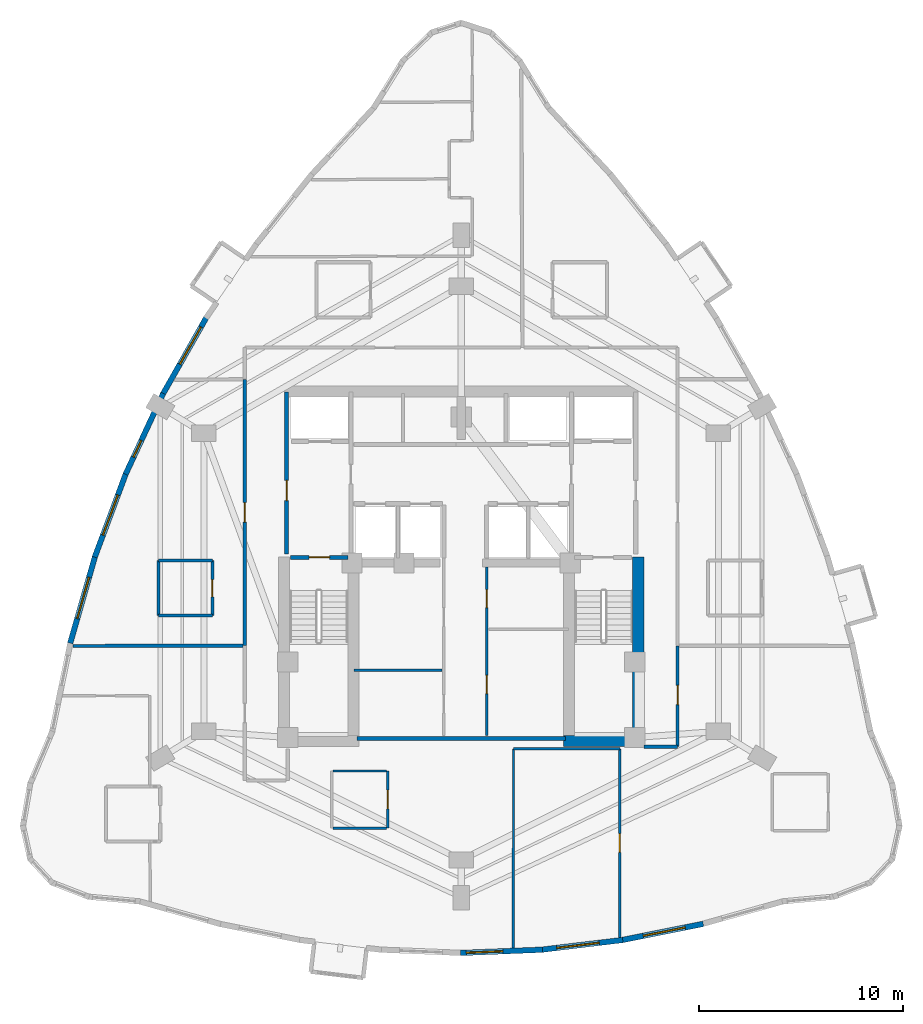
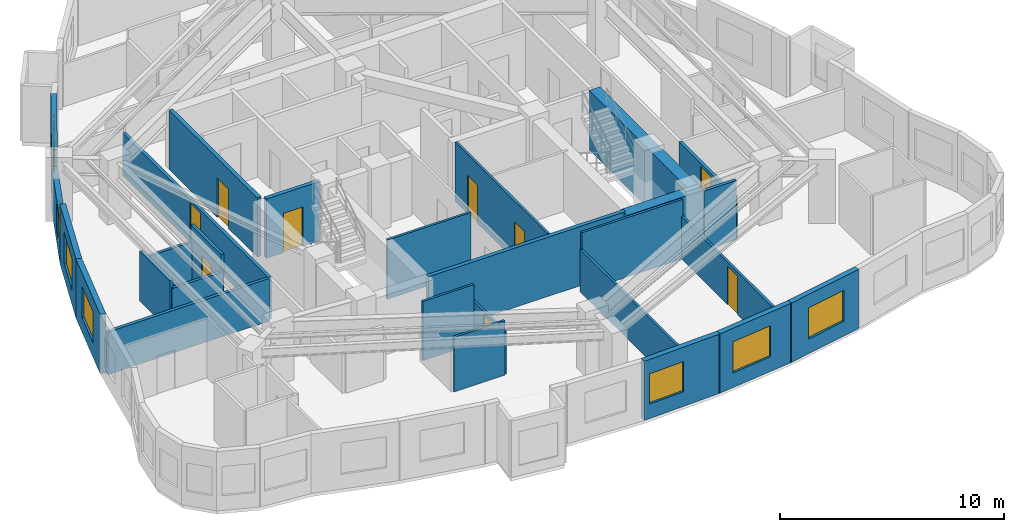
# One storey, part 6 of 11: 28 walls, 9 doors, 7 windows, 16 openings.
"""IFC4 building model written with IfcOpenShell, lengths in metres."""

from ifc_helpers import new_model, si_unit, direction, frame, frame_2d, origin, place, context, subcontext, project, spatial, rectangle, extrude, material, layer, layer_set, type_object, element, fill, save


model = new_model("IFC4")

# Units and contexts
model_context = context("Model", 3, precision=1e-05, world=origin(), true_north=direction((0.0, 1.0)))
body_context = subcontext(model_context, "Body", "Model", "MODEL_VIEW")
ifc_project = project(units=[si_unit("LENGTHUNIT", "METRE"), si_unit("AREAUNIT", "SQUARE_METRE"), si_unit("VOLUMEUNIT", "CUBIC_METRE"), si_unit("PLANEANGLEUNIT", "RADIAN"), si_unit("MASSUNIT", "GRAM", prefix="KILO")], contexts=[model_context])

# Site, building, storey
site_placement = place(None, origin())
site = spatial("IfcSite", under=ifc_project, at=site_placement, CompositionType="ELEMENT")
building_placement = place(site_placement, origin())
building = spatial("IfcBuilding", under=site, at=building_placement, Name="Miruveldt Soraemaru", CompositionType="ELEMENT")
storey_placement = place(building_placement, frame((0.0, 0.0, 152.89990234375)))
storey = spatial("IfcBuildingStorey", under=building, at=storey_placement, Name="L42", CompositionType="ELEMENT", Elevation=152.89990234375)

# Walls
ifc_material_1 = material(Name="Concrete C70/85 (70 MPa)", Category="concrete")
ifc_layer_1 = layer(ifc_material_1, 0.550048828125, Name="Concrete C70/85 (70 MPa)", Category="concrete")
ifc_layer_set_1 = layer_set([ifc_layer_1], Name="Concrete C70/85 (70 MPa)")
wall_type_1 = type_object("IfcWallType", Name="WALL-CW-550", PredefinedType="SHEAR", material=ifc_layer_set_1)
wall_1_placement = place(storey_placement, frame((49.0, 35.324951171875, 0.0), z_axis=(0.0, 0.0, 1.0), x_axis=(1.0, 0.0, 0.0)))
element("IfcWall", 1, at=wall_1_placement, inside=storey, type_object=wall_type_1, Name="L42 Central Core Shear Wall S2", PredefinedType="SHEAR", context=body_context, shape_type="SweptSolid", body=[
    extrude(rectangle(XDim=3.949951171875, YDim=0.550048828125, at=frame_2d((1.97509765625, 0.0))), origin(), (0.0, 0.0, 1.0), 3.235107421875),
])
wall_2_placement = place(storey_placement, frame((52.675048828125, 35.050048828125, 0.0), z_axis=(0.0, 0.0, 1.0), x_axis=(0.0, 1.0, 0.0)))
element("IfcWall", 2, at=wall_2_placement, inside=storey, type_object=wall_type_1, Name="L42 Central Core Shear Wall E1", PredefinedType="SHEAR", context=body_context, shape_type="SweptSolid", body=[
    extrude(rectangle(XDim=9.300048828125, YDim=0.550048828125, at=frame_2d((4.64990234375, 0.0))), origin(), (0.0, 0.0, 1.0), 3.235107421875),
])

# Wall, opening, window
ifc_material_2 = material(Name="Precast concrete C45/55 (45 MPa)", Category="concrete")
ifc_layer_2 = layer(ifc_material_2, 0.27001953125, Name="Precast concrete C45/55 (45 MPa)", Category="concrete")
ifc_layer_set_2 = layer_set([ifc_layer_2], Name="Precast concrete C45/55 (45 MPa)")
wall_type_2 = type_object("IfcWallType", Name="WALL-EXT-PC270", PredefinedType="SOLIDWALL", material=ifc_layer_set_2)
wall_3_placement = place(storey_placement, frame((31.53076171875, 56.09912109375, 0.0), z_axis=(0.0, 0.0, 1.0), x_axis=(-0.493412614859, -0.869795373348, 0.0)))
wall_3 = element("IfcWall", 3, at=wall_3_placement, inside=storey, type_object=wall_type_2, Name="L42 Precast Concrete Facade Wall 10", PredefinedType="SOLIDWALL", context=body_context, shape_type="SweptSolid", body=[
    extrude(rectangle(XDim=4.37255859375, YDim=0.27001953125, at=frame_2d((2.186279296875, 0.0))), origin(), (0.0, 0.0, 1.0), 3.235107421875),
])
opening_1_placement = place(wall_3_placement, frame((0.55908203125, 0.0, 0.800048828125)))
opening_1 = element("IfcOpeningElement", 4, at=opening_1_placement, cuts=wall_3, Name="Opening WN-1", PredefinedType="OPENING", context=body_context, shape_type="SweptSolid", body=[
    extrude(rectangle(XDim=2.10009765625, YDim=1.699951171875, at=frame_2d((1.050048828125, 0.85009765625))), frame((0.0, 0.14501953125, 0.0), z_axis=(0.0, -1.0, 0.0), x_axis=(1.0, 0.0, 0.0)), (0.0, 0.0, 1.0), 0.2900390625),
])
ifc_material_3 = material(Name="Triple low-e insulated glazing", Category="glass")
window_type_1 = type_object("IfcWindowType", Name="WIN-PUNCH-2100x1700", PartitioningType="SINGLE_PANEL", PredefinedType="WINDOW", material=ifc_material_3)
window_1_placement = place(opening_1_placement, origin())
window_1 = element("IfcWindow", 5, at=window_1_placement, inside=storey, type_object=window_type_1, Name="L42 Punched Triple-Glazed Window 10.1", OverallHeight=1.699951171875, OverallWidth=2.10009765625, PartitioningType="SINGLE_PANEL", PredefinedType="WINDOW", context=body_context, shape_type="SweptSolid", body=[
    extrude(rectangle(XDim=2.10009765625, YDim=1.699951171875, at=frame_2d((1.050048828125, 0.85009765625))), frame((0.0, 0.030029296875, 0.0), z_axis=(0.0, -1.0, 0.0), x_axis=(1.0, 0.0, 0.0)), (0.0, 0.0, 1.0), 0.06005859375),
])
fill(opening_1, window_1)

wall_4_placement = place(storey_placement, frame((29.405517578125, 52.35791015625, 0.0), z_axis=(0.0, 0.0, 1.0), x_axis=(-0.422319922238, -0.906446845259, 0.0)))
wall_4 = element("IfcWall", 6, at=wall_4_placement, inside=storey, type_object=wall_type_2, Name="L42 Precast Concrete Facade Wall 11", PredefinedType="SOLIDWALL", context=body_context, shape_type="SweptSolid", body=[
    extrude(rectangle(XDim=4.372802734375, YDim=0.27001953125, at=frame_2d((2.1865234375, 0.0))), origin(), (0.0, 0.0, 1.0), 2.322998046875),
])
opening_2_placement = place(wall_4_placement, frame((2.548095703125, 0.0, 0.6630859375)))
opening_2 = element("IfcOpeningElement", 7, at=opening_2_placement, cuts=wall_4, Name="Opening WN-7", PredefinedType="OPENING", context=body_context, shape_type="SweptSolid", body=[
    extrude(rectangle(XDim=0.89990234375, YDim=1.5, at=frame_2d((0.449951171875, 0.75))), frame((0.0, 0.14501953125, 0.0), z_axis=(0.0, -1.0, 0.0), x_axis=(1.0, 0.0, 0.0)), (0.0, 0.0, 1.0), 0.2900390625),
])
window_type_2 = type_object("IfcWindowType", Name="WIN-PUNCH-900x1500", PartitioningType="SINGLE_PANEL", PredefinedType="WINDOW", material=ifc_material_3)
window_2_placement = place(opening_2_placement, origin())
window_2 = element("IfcWindow", 8, at=window_2_placement, inside=storey, type_object=window_type_2, Name="L42 Punched Triple-Glazed Window 11.1", OverallHeight=1.5, OverallWidth=0.89990234375, PartitioningType="SINGLE_PANEL", PredefinedType="WINDOW", context=body_context, shape_type="SweptSolid", body=[
    extrude(rectangle(XDim=0.89990234375, YDim=1.5, at=frame_2d((0.449951171875, 0.75))), frame((0.0, 0.030029296875, 0.0), z_axis=(0.0, -1.0, 0.0), x_axis=(1.0, 0.0, 0.0)), (0.0, 0.0, 1.0), 0.06005859375),
])
fill(opening_2, window_2)

wall_5_placement = place(storey_placement, frame((27.585693359375, 48.458740234375, 0.0), z_axis=(0.0, 0.0, 1.0), x_axis=(-0.348994381094, -0.937124816641, 0.0)))
wall_5 = element("IfcWall", 9, at=wall_5_placement, inside=storey, type_object=wall_type_2, Name="L42 Precast Concrete Facade Wall 12", PredefinedType="SOLIDWALL", context=body_context, shape_type="SweptSolid", body=[
    extrude(rectangle(XDim=4.400146484375, YDim=0.27001953125, at=frame_2d((2.2001953125, 0.0))), origin(), (0.0, 0.0, 1.0), 3.235107421875),
])
opening_3_placement = place(wall_5_placement, frame((1.14990234375, 0.0, 0.800048828125)))
opening_3 = element("IfcOpeningElement", 10, at=opening_3_placement, cuts=wall_5, Name="Opening WN-1", PredefinedType="OPENING", context=body_context, shape_type="SweptSolid", body=[
    extrude(rectangle(XDim=2.10009765625, YDim=1.699951171875, at=frame_2d((1.050048828125, 0.85009765625))), frame((0.0, 0.14501953125, 0.0), z_axis=(0.0, -1.0, 0.0), x_axis=(1.0, 0.0, 0.0)), (0.0, 0.0, 1.0), 0.2900390625),
])
window_3_placement = place(opening_3_placement, origin())
window_3 = element("IfcWindow", 11, at=window_3_placement, inside=storey, type_object=window_type_1, Name="L42 Punched Triple-Glazed Window 12.1", OverallHeight=1.699951171875, OverallWidth=2.10009765625, PartitioningType="SINGLE_PANEL", PredefinedType="WINDOW", context=body_context, shape_type="SweptSolid", body=[
    extrude(rectangle(XDim=2.10009765625, YDim=1.699951171875, at=frame_2d((1.050048828125, 0.85009765625))), frame((0.0, 0.030029296875, 0.0), z_axis=(0.0, -1.0, 0.0), x_axis=(1.0, 0.0, 0.0)), (0.0, 0.0, 1.0), 0.06005859375),
])
fill(opening_3, window_3)

wall_6_placement = place(storey_placement, frame((26.07177734375, 44.40185546875, 0.0), z_axis=(0.0, 0.0, 1.0), x_axis=(-0.274959989366, -0.961455669414, 0.0)))
wall_6 = element("IfcWall", 12, at=wall_6_placement, inside=storey, type_object=wall_type_2, Name="L42 Precast Concrete Facade Wall 13", PredefinedType="SOLIDWALL", context=body_context, shape_type="SweptSolid", body=[
    extrude(rectangle(XDim=4.45458984375, YDim=0.27001953125, at=frame_2d((2.227294921875, 0.0))), origin(), (0.0, 0.0, 1.0), 3.235107421875),
])
opening_4_placement = place(wall_6_placement, frame((1.10302734375, 0.0, 0.800048828125)))
opening_4 = element("IfcOpeningElement", 13, at=opening_4_placement, cuts=wall_6, Name="Opening WN-1", PredefinedType="OPENING", context=body_context, shape_type="SweptSolid", body=[
    extrude(rectangle(XDim=2.10009765625, YDim=1.699951171875, at=frame_2d((1.050048828125, 0.85009765625))), frame((0.0, 0.14501953125, 0.0), z_axis=(0.0, -1.0, 0.0), x_axis=(1.0, 0.0, 0.0)), (0.0, 0.0, 1.0), 0.2900390625),
])
window_4_placement = place(opening_4_placement, origin())
window_4 = element("IfcWindow", 14, at=window_4_placement, inside=storey, type_object=window_type_1, Name="L42 Punched Triple-Glazed Window 13.1", OverallHeight=1.699951171875, OverallWidth=2.10009765625, PartitioningType="SINGLE_PANEL", PredefinedType="WINDOW", context=body_context, shape_type="SweptSolid", body=[
    extrude(rectangle(XDim=2.10009765625, YDim=1.699951171875, at=frame_2d((1.050048828125, 0.85009765625))), frame((0.0, 0.030029296875, 0.0), z_axis=(0.0, -1.0, 0.0), x_axis=(1.0, 0.0, 0.0)), (0.0, 0.0, 1.0), 0.06005859375),
])
fill(opening_4, window_4)

wall_7_placement = place(storey_placement, frame((43.965087890625, 24.9462890625, 0.0), z_axis=(0.0, 0.0, 1.0), x_axis=(0.999200861534, 0.039970467975, 0.0)))
wall_7 = element("IfcWall", 15, at=wall_7_placement, inside=storey, type_object=wall_type_2, Name="L42 Precast Concrete Facade Wall 25", PredefinedType="SOLIDWALL", context=body_context, shape_type="SweptSolid", body=[
    extrude(rectangle(XDim=4.012939453125, YDim=0.27001953125, at=frame_2d((2.00634765625, 0.0))), origin(), (0.0, 0.0, 1.0), 3.235107421875),
])
opening_5_placement = place(wall_7_placement, frame((0.281005859375, 0.0, 0.800048828125)))
opening_5 = element("IfcOpeningElement", 16, at=opening_5_placement, cuts=wall_7, Name="Opening WN-2", PredefinedType="OPENING", context=body_context, shape_type="SweptSolid", body=[
    extrude(rectangle(XDim=1.800048828125, YDim=1.64990234375, at=frame_2d((0.89990234375, 0.824951171875))), frame((0.0, 0.14501953125, 0.0), z_axis=(0.0, -1.0, 0.0), x_axis=(1.0, 0.0, 0.0)), (0.0, 0.0, 1.0), 0.2900390625),
])
window_type_3 = type_object("IfcWindowType", Name="WIN-PUNCH-1800x1650", PartitioningType="SINGLE_PANEL", PredefinedType="WINDOW", material=ifc_material_3)
window_5_placement = place(opening_5_placement, origin())
window_5 = element("IfcWindow", 17, at=window_5_placement, inside=storey, type_object=window_type_3, Name="L42 Punched Triple-Glazed Window 25.1", OverallHeight=1.64990234375, OverallWidth=1.800048828125, PartitioningType="SINGLE_PANEL", PredefinedType="WINDOW", context=body_context, shape_type="SweptSolid", body=[
    extrude(rectangle(XDim=1.800048828125, YDim=1.64990234375, at=frame_2d((0.89990234375, 0.824951171875))), frame((0.0, 0.030029296875, 0.0), z_axis=(0.0, -1.0, 0.0), x_axis=(1.0, 0.0, 0.0)), (0.0, 0.0, 1.0), 0.06005859375),
])
fill(opening_5, window_5)

wall_8_placement = place(storey_placement, frame((47.905029296875, 25.10107421875, 0.0), z_axis=(0.0, 0.0, 1.0), x_axis=(0.99287426346, 0.119166677218, 0.0)))
wall_8 = element("IfcWall", 18, at=wall_8_placement, inside=storey, type_object=wall_type_2, Name="L42 Precast Concrete Facade Wall 26", PredefinedType="SOLIDWALL", context=body_context, shape_type="SweptSolid", body=[
    extrude(rectangle(XDim=4.0380859375, YDim=0.27001953125, at=frame_2d((2.01904296875, 0.0))), origin(), (0.0, 0.0, 1.0), 3.235107421875),
])
opening_6_placement = place(wall_8_placement, frame((0.781982421875, 0.0, 0.800048828125)))
opening_6 = element("IfcOpeningElement", 19, at=opening_6_placement, cuts=wall_8, Name="Opening WN-1", PredefinedType="OPENING", context=body_context, shape_type="SweptSolid", body=[
    extrude(rectangle(XDim=2.10009765625, YDim=1.699951171875, at=frame_2d((1.050048828125, 0.85009765625))), frame((0.0, 0.14501953125, 0.0), z_axis=(0.0, -1.0, 0.0), x_axis=(1.0, 0.0, 0.0)), (0.0, 0.0, 1.0), 0.2900390625),
])
window_6_placement = place(opening_6_placement, origin())
window_6 = element("IfcWindow", 20, at=window_6_placement, inside=storey, type_object=window_type_1, Name="L42 Punched Triple-Glazed Window 26.1", OverallHeight=1.699951171875, OverallWidth=2.10009765625, PartitioningType="SINGLE_PANEL", PredefinedType="WINDOW", context=body_context, shape_type="SweptSolid", body=[
    extrude(rectangle(XDim=2.10009765625, YDim=1.699951171875, at=frame_2d((1.050048828125, 0.85009765625))), frame((0.0, 0.030029296875, 0.0), z_axis=(0.0, -1.0, 0.0), x_axis=(1.0, 0.0, 0.0)), (0.0, 0.0, 1.0), 0.06005859375),
])
fill(opening_6, window_6)

wall_9_placement = place(storey_placement, frame((51.84521484375, 25.571044921875, 0.0), z_axis=(0.0, 0.0, 1.0), x_axis=(0.980578378617, 0.196127620158, 0.0)))
wall_9 = element("IfcWall", 21, at=wall_9_placement, inside=storey, type_object=wall_type_2, Name="L42 Precast Concrete Facade Wall 27", PredefinedType="SOLIDWALL", context=body_context, shape_type="SweptSolid", body=[
    extrude(rectangle(XDim=4.087890625, YDim=0.27001953125, at=frame_2d((2.0439453125, 0.0))), origin(), (0.0, 0.0, 1.0), 3.235107421875),
])
opening_7_placement = place(wall_9_placement, frame((1.087890625, 0.0, 0.800048828125)))
opening_7 = element("IfcOpeningElement", 22, at=opening_7_placement, cuts=wall_9, Name="Opening WN-1", PredefinedType="OPENING", context=body_context, shape_type="SweptSolid", body=[
    extrude(rectangle(XDim=2.10009765625, YDim=1.699951171875, at=frame_2d((1.050048828125, 0.85009765625))), frame((0.0, 0.14501953125, 0.0), z_axis=(0.0, -1.0, 0.0), x_axis=(1.0, 0.0, 0.0)), (0.0, 0.0, 1.0), 0.2900390625),
])
window_7_placement = place(opening_7_placement, origin())
window_7 = element("IfcWindow", 23, at=window_7_placement, inside=storey, type_object=window_type_1, Name="L42 Punched Triple-Glazed Window 27.1", OverallHeight=1.699951171875, OverallWidth=2.10009765625, PartitioningType="SINGLE_PANEL", PredefinedType="WINDOW", context=body_context, shape_type="SweptSolid", body=[
    extrude(rectangle(XDim=2.10009765625, YDim=1.699951171875, at=frame_2d((1.050048828125, 0.85009765625))), frame((0.0, 0.030029296875, 0.0), z_axis=(0.0, -1.0, 0.0), x_axis=(1.0, 0.0, 0.0)), (0.0, 0.0, 1.0), 0.06005859375),
])
fill(opening_7, window_7)

# Wall, opening, door
ifc_material_4 = material(Name="Gypsum plasterboard lining", Category="gypsum")
ifc_layer_3 = layer(ifc_material_4, 0.1201171875, Name="Gypsum plasterboard lining", Category="gypsum")
ifc_layer_set_3 = layer_set([ifc_layer_3], Name="Gypsum plasterboard lining")
wall_type_3 = type_object("IfcWallType", Name="WALL-INT-P120", PredefinedType="PARTITIONING", material=ifc_layer_set_3)
wall_10_placement = place(storey_placement, frame((51.77001953125, 34.949951171875, 0.0), z_axis=(0.0, 0.0, 1.0), x_axis=(-0.000872415467, -0.999999619446, 0.0)))
wall_10 = element("IfcWall", 24, at=wall_10_placement, inside=storey, type_object=wall_type_3, Name="L42 Partition Wall 59", PredefinedType="PARTITIONING", context=body_context, shape_type="SweptSolid", body=[
    extrude(rectangle(XDim=9.23486328125, YDim=0.1201171875, at=frame_2d((4.617431640625, 0.0))), origin(), (0.0, 0.0, 1.0), 2.322998046875),
])
opening_8_placement = place(wall_10_placement, frame((4.157958984375, 0.0, 0.0)))
opening_8 = element("IfcOpeningElement", 25, at=opening_8_placement, cuts=wall_10, Name="Opening D3A", PredefinedType="OPENING", context=body_context, shape_type="SweptSolid", body=[
    extrude(rectangle(XDim=0.919921875, YDim=2.10009765625, at=frame_2d((0.4599609375, 1.050048828125))), frame((0.0, 0.070068359375, 0.0), z_axis=(0.0, -1.0, 0.0), x_axis=(1.0, 0.0, 0.0)), (0.0, 0.0, 1.0), 0.14013671875),
])
ifc_material_5 = material(Name="Anodised aluminium EN AW-6063 T6", Category="aluminium")
door_type_1 = type_object("IfcDoorType", Name="DOOR-INT-920", OperationType="NOTDEFINED", PredefinedType="DOOR", material=ifc_material_5)
door_1_placement = place(opening_8_placement, origin())
door_1 = element("IfcDoor", 26, at=door_1_placement, inside=storey, type_object=door_type_1, Name="L42 Unit 4206 BD2 Door", OperationType="SINGLE_SWING_LEFT", OverallHeight=2.10009765625, OverallWidth=0.919921875, PredefinedType="DOOR", context=body_context, shape_type="SweptSolid", body=[
    extrude(rectangle(XDim=0.919921875, YDim=2.10009765625, at=frame_2d((0.4599609375, 1.050048828125))), frame((0.0, 0.02490234375, 0.0), z_axis=(0.0, -1.0, 0.0), x_axis=(1.0, 0.0, 0.0)), (0.0, 0.0, 1.0), 0.050048828125),
])
fill(opening_8, door_1)

# Wall, openings, doors
wall_11_placement = place(storey_placement, frame((45.25, 35.60009765625, 0.0), z_axis=(0.0, 0.0, 1.0), x_axis=(0.0, 1.0, 0.0)))
wall_11 = element("IfcWall", 27, at=wall_11_placement, inside=storey, type_object=wall_type_3, Name="L42 Core Compartment Wall SP-EL", PredefinedType="PARTITIONING", context=body_context, shape_type="SweptSolid", body=[
    extrude(rectangle(XDim=8.25, YDim=0.1201171875, at=frame_2d((4.125, 0.0))), origin(), (0.0, 0.0, 1.0), 3.235107421875),
])
opening_9_placement = place(wall_11_placement, frame((2.050048828125, 0.0, 0.0)))
opening_9 = element("IfcOpeningElement", 28, at=opening_9_placement, cuts=wall_11, Name="Opening D3", PredefinedType="OPENING", context=body_context, shape_type="SweptSolid", body=[
    extrude(rectangle(XDim=0.89990234375, YDim=2.10009765625, at=frame_2d((0.449951171875, 1.050048828125))), frame((0.0, 0.070068359375, 0.0), z_axis=(0.0, -1.0, 0.0), x_axis=(1.0, 0.0, 0.0)), (0.0, 0.0, 1.0), 0.14013671875),
])
opening_10_placement = place(wall_11_placement, frame((6.260009765625, 0.0, 0.0)))
opening_10 = element("IfcOpeningElement", 29, at=opening_10_placement, cuts=wall_11, Name="Opening D4", PredefinedType="OPENING", context=body_context, shape_type="SweptSolid", body=[
    extrude(rectangle(XDim=0.8798828125, YDim=2.10009765625, at=frame_2d((0.43994140625, 1.050048828125))), frame((0.0, 0.070068359375, 0.0), z_axis=(0.0, -1.0, 0.0), x_axis=(1.0, 0.0, 0.0)), (0.0, 0.0, 1.0), 0.14013671875),
])
door_type_2 = type_object("IfcDoorType", Name="DOOR-INT-880", OperationType="NOTDEFINED", PredefinedType="DOOR", material=ifc_material_5)
door_2_placement = place(opening_10_placement, origin())
door_2 = element("IfcDoor", 30, at=door_2_placement, inside=storey, type_object=door_type_2, Name="L42 Fire Door", OperationType="SINGLE_SWING_LEFT", OverallHeight=2.10009765625, OverallWidth=0.8798828125, PredefinedType="DOOR", context=body_context, shape_type="SweptSolid", body=[
    extrude(rectangle(XDim=0.8798828125, YDim=2.10009765625, at=frame_2d((0.43994140625, 1.050048828125))), frame((0.0, 0.02490234375, 0.0), z_axis=(0.0, -1.0, 0.0), x_axis=(1.0, 0.0, 0.0)), (0.0, 0.0, 1.0), 0.050048828125),
])
fill(opening_10, door_2)
door_type_3 = type_object("IfcDoorType", Name="DOOR-INT-900", OperationType="NOTDEFINED", PredefinedType="DOOR", material=ifc_material_5)
door_3_placement = place(opening_9_placement, origin())
door_3 = element("IfcDoor", 31, at=door_3_placement, inside=storey, type_object=door_type_3, Name="L42 Fire Door", OperationType="SINGLE_SWING_LEFT", OverallHeight=2.10009765625, OverallWidth=0.89990234375, PredefinedType="DOOR", context=body_context, shape_type="SweptSolid", body=[
    extrude(rectangle(XDim=0.89990234375, YDim=2.10009765625, at=frame_2d((0.449951171875, 1.050048828125))), frame((0.0, 0.02490234375, 0.0), z_axis=(0.0, -1.0, 0.0), x_axis=(1.0, 0.0, 0.0)), (0.0, 0.0, 1.0), 0.050048828125),
])
fill(opening_9, door_3)

# Wall, opening, door
wall_12_placement = place(storey_placement, frame((40.408935546875, 31.06005859375, 0.0), z_axis=(0.0, 0.0, 1.0), x_axis=(0.0, 1.0, 0.0)))
wall_12 = element("IfcWall", 32, at=wall_12_placement, inside=storey, type_object=wall_type_3, Name="L42 Partition Wall 45", PredefinedType="PARTITIONING", context=body_context, shape_type="SweptSolid", body=[
    extrude(rectangle(XDim=2.800048828125, YDim=0.1201171875, at=frame_2d((1.39990234375, 0.0))), origin(), (0.0, 0.0, 1.0), 2.322998046875),
])
opening_11_placement = place(wall_12_placement, frame((0.93994140625, 0.0, 0.0)))
opening_11 = element("IfcOpeningElement", 33, at=opening_11_placement, cuts=wall_12, Name="Opening D3A", PredefinedType="OPENING", context=body_context, shape_type="SweptSolid", body=[
    extrude(rectangle(XDim=0.919921875, YDim=2.10009765625, at=frame_2d((0.4599609375, 1.050048828125))), frame((0.0, 0.070068359375, 0.0), z_axis=(0.0, -1.0, 0.0), x_axis=(1.0, 0.0, 0.0)), (0.0, 0.0, 1.0), 0.14013671875),
])
door_4_placement = place(opening_11_placement, origin())
door_4 = element("IfcDoor", 34, at=door_4_placement, inside=storey, type_object=door_type_1, Name="L42 Unit 4205 KIT Door", OperationType="SINGLE_SWING_LEFT", OverallHeight=2.10009765625, OverallWidth=0.919921875, PredefinedType="DOOR", context=body_context, shape_type="SweptSolid", body=[
    extrude(rectangle(XDim=0.919921875, YDim=2.10009765625, at=frame_2d((0.4599609375, 1.050048828125))), frame((0.0, 0.02490234375, 0.0), z_axis=(0.0, -1.0, 0.0), x_axis=(1.0, 0.0, 0.0)), (0.0, 0.0, 1.0), 0.050048828125),
])
fill(opening_11, door_4)

# Walls
wall_13_placement = place(storey_placement, frame((46.55908203125, 25.199951171875, 0.0), z_axis=(0.0, 0.0, 1.0), x_axis=(0.000300480756, 0.999999954856, 0.0)))
element("IfcWall", 35, at=wall_13_placement, inside=storey, type_object=wall_type_3, Name="L42 Partition Wall 61", PredefinedType="PARTITIONING", context=body_context, shape_type="SweptSolid", body=[
    extrude(rectangle(XDim=9.75, YDim=0.1201171875, at=frame_2d((4.875, 0.0))), origin(), (0.0, 0.0, 1.0), 2.322998046875),
])
wall_14_placement = place(storey_placement, frame((46.56201171875, 34.949951171875, 0.0), z_axis=(0.0, 0.0, 1.0), x_axis=(1.0, 0.0, 0.0)))
element("IfcWall", 36, at=wall_14_placement, inside=storey, type_object=wall_type_3, Name="L42 Partition Wall 62", PredefinedType="PARTITIONING", context=body_context, shape_type="SweptSolid", body=[
    extrude(rectangle(XDim=5.2080078125, YDim=0.1201171875, at=frame_2d((2.60400390625, 0.0))), origin(), (0.0, 0.0, 1.0), 3.235107421875),
])
wall_15_placement = place(storey_placement, frame((38.75, 38.800048828125, 0.0), z_axis=(0.0, 0.0, 1.0), x_axis=(1.0, 0.0, 0.0)))
element("IfcWall", 37, at=wall_15_placement, inside=storey, type_object=wall_type_3, Name="L42 Core Compartment Wall RL-W2H", PredefinedType="PARTITIONING", context=body_context, shape_type="SweptSolid", body=[
    extrude(rectangle(XDim=4.300048828125, YDim=0.1201171875, at=frame_2d((2.14990234375, 0.0))), origin(), (0.0, 0.0, 1.0), 3.235107421875),
])
wall_16_placement = place(storey_placement, frame((40.34912109375, 33.860107421875, 0.0), z_axis=(0.0, 0.0, 1.0), x_axis=(-1.0, 0.0, 0.0)))
element("IfcWall", 38, at=wall_16_placement, inside=storey, type_object=wall_type_3, Name="L42 Partition Wall 46", PredefinedType="PARTITIONING", context=body_context, shape_type="SweptSolid", body=[
    extrude(rectangle(XDim=2.630126953125, YDim=0.1201171875, at=frame_2d((1.31494140625, 0.0))), origin(), (0.0, 0.0, 1.0), 3.235107421875),
])
wall_17_placement = place(storey_placement, frame((37.718994140625, 31.06005859375, 0.0), z_axis=(0.0, 0.0, 1.0), x_axis=(1.0, 0.0, 0.0)))
element("IfcWall", 39, at=wall_17_placement, inside=storey, type_object=wall_type_3, Name="L42 Partition Wall 48", PredefinedType="PARTITIONING", context=body_context, shape_type="SweptSolid", body=[
    extrude(rectangle(XDim=2.630126953125, YDim=0.1201171875, at=frame_2d((1.31494140625, 0.0))), origin(), (0.0, 0.0, 1.0), 2.97314453125),
])

# Wall, opening, door
ifc_layer_4 = layer(ifc_material_4, 0.14990234375, Name="Gypsum plasterboard lining", Category="gypsum")
ifc_layer_set_4 = layer_set([ifc_layer_4], Name="Gypsum plasterboard lining")
wall_type_4 = type_object("IfcWallType", Name="WALL-INT-PLUMB", PredefinedType="PLUMBINGWALL", material=ifc_layer_set_4)
wall_18_placement = place(storey_placement, frame((31.81396484375, 41.47998046875, 0.0), z_axis=(0.0, 0.0, 1.0), x_axis=(0.0, 1.0, 0.0)))
wall_18 = element("IfcWall", 40, at=wall_18_placement, inside=storey, type_object=wall_type_4, Name="L42 Partition Wall 32", PredefinedType="PLUMBINGWALL", context=body_context, shape_type="SweptSolid", body=[
    extrude(rectangle(XDim=2.699951171875, YDim=0.14990234375, at=frame_2d((1.35009765625, 0.0))), origin(), (0.0, 0.0, 1.0), 3.235107421875),
])
opening_12_placement = place(wall_18_placement, frame((0.909912109375, 0.0, 0.0)))
opening_12 = element("IfcOpeningElement", 41, at=opening_12_placement, cuts=wall_18, Name="Opening FD3", PredefinedType="OPENING", context=body_context, shape_type="SweptSolid", body=[
    extrude(rectangle(XDim=0.85009765625, YDim=2.10009765625, at=frame_2d((0.425048828125, 1.050048828125))), frame((0.0, 0.0849609375, 0.0), z_axis=(0.0, -1.0, 0.0), x_axis=(1.0, 0.0, 0.0)), (0.0, 0.0, 1.0), 0.169921875),
])
door_type_4 = type_object("IfcDoorType", Name="DOOR-FD3-850", OperationType="NOTDEFINED", PredefinedType="DOOR", material=ifc_material_5)
door_5_placement = place(opening_12_placement, origin())
door_5 = element("IfcDoor", 42, at=door_5_placement, inside=storey, type_object=door_type_4, Name="L42 Unit CL03 BTH Door", OperationType="SINGLE_SWING_RIGHT", OverallHeight=2.10009765625, OverallWidth=0.85009765625, PredefinedType="DOOR", context=body_context, shape_type="SweptSolid", body=[
    extrude(rectangle(XDim=0.85009765625, YDim=2.10009765625, at=frame_2d((0.425048828125, 1.050048828125))), frame((0.0, 0.02490234375, 0.0), z_axis=(0.0, -1.0, 0.0), x_axis=(1.0, 0.0, 0.0)), (0.0, 0.0, 1.0), 0.050048828125),
])
fill(opening_12, door_5)

# Walls
wall_19_placement = place(storey_placement, frame((29.1640625, 44.179931640625, 0.0), z_axis=(0.0, 0.0, 1.0), x_axis=(0.0, -1.0, 0.0)))
element("IfcWall", 43, at=wall_19_placement, inside=storey, type_object=wall_type_4, Name="L42 Partition Wall 34", PredefinedType="PLUMBINGWALL", context=body_context, shape_type="SweptSolid", body=[
    extrude(rectangle(XDim=2.699951171875, YDim=0.14990234375, at=frame_2d((1.35009765625, 0.0))), origin(), (0.0, 0.0, 1.0), 2.72314453125),
])
for number, where, z_axis, x_axis, name in (
    (44, (31.81396484375, 44.179931640625, 0.0), (0.0, 0.0, 1.0), (-1.0, 0.0, 0.0), "L42 Partition Wall 33"),
    (45, (29.1640625, 41.47998046875, 0.0), (0.0, 0.0, 1.0), (1.0, 0.0, 0.0), "L42 Partition Wall 35"),
):
    element("IfcWall", number, at=place(storey_placement, frame(where, z_axis=z_axis, x_axis=x_axis)), inside=storey, type_object=wall_type_4, Name=name, PredefinedType="PLUMBINGWALL", context=body_context, shape_type="SweptSolid", body=[
        extrude(rectangle(XDim=2.64990234375, YDim=0.14990234375, at=frame_2d((1.324951171875, 0.0))), origin(), (0.0, 0.0, 1.0), 2.322998046875),
    ])

# Wall, opening, door
ifc_material_6 = material(Name="Concrete C40/50 (40 MPa)", Category="concrete")
ifc_layer_5 = layer(ifc_material_6, 0.159912109375, Name="Concrete C40/50 (40 MPa)", Category="concrete")
ifc_layer_set_5 = layer_set([ifc_layer_5], Name="Concrete C40/50 (40 MPa)")
wall_type_5 = type_object("IfcWallType", Name="WALL-INT-RC160", PredefinedType="SOLIDWALL", material=ifc_layer_set_5)
wall_20_placement = place(storey_placement, frame((33.39990234375, 53.047119140625, 0.0), z_axis=(0.0, 0.0, 1.0), x_axis=(0.0, -1.0, 0.0)))
wall_20 = element("IfcWall", 46, at=wall_20_placement, inside=storey, type_object=wall_type_5, Name="L42 Partition Wall 5", PredefinedType="SOLIDWALL", context=body_context, shape_type="SweptSolid", body=[
    extrude(rectangle(XDim=13.044189453125, YDim=0.159912109375, at=frame_2d((6.52197265625, 0.0))), origin(), (0.0, 0.0, 1.0), 2.322998046875),
])
opening_13_placement = place(wall_20_placement, frame((6.047119140625, 0.0, 0.0)))
opening_13 = element("IfcOpeningElement", 47, at=opening_13_placement, cuts=wall_20, Name="Opening FD2", PredefinedType="OPENING", context=body_context, shape_type="SweptSolid", body=[
    extrude(rectangle(XDim=0.949951171875, YDim=2.14990234375, at=frame_2d((0.47509765625, 1.074951171875))), frame((0.0, 0.08984375, 0.0), z_axis=(0.0, -1.0, 0.0), x_axis=(1.0, 0.0, 0.0)), (0.0, 0.0, 1.0), 0.179931640625),
])
door_type_5 = type_object("IfcDoorType", Name="DOOR-FD2-950", OperationType="NOTDEFINED", PredefinedType="DOOR", material=ifc_material_5)
door_6_placement = place(opening_13_placement, origin())
door_6 = element("IfcDoor", 48, at=door_6_placement, inside=storey, type_object=door_type_5, Name="L42 Unit CL03 Entrance Fire Door", OperationType="SINGLE_SWING_LEFT", OverallHeight=2.14990234375, OverallWidth=0.949951171875, PredefinedType="DOOR", context=body_context, shape_type="SweptSolid", body=[
    extrude(rectangle(XDim=0.949951171875, YDim=2.14990234375, at=frame_2d((0.47509765625, 1.074951171875))), frame((0.0, 0.02490234375, 0.0), z_axis=(0.0, -1.0, 0.0), x_axis=(1.0, 0.0, 0.0)), (0.0, 0.0, 1.0), 0.050048828125),
])
fill(opening_13, door_6)

wall_21_placement = place(storey_placement, frame((54.60009765625, 35.050048828125, 0.0), z_axis=(0.0, 0.0, 1.0), x_axis=(0.0, 1.0, 0.0)))
wall_21 = element("IfcWall", 49, at=wall_21_placement, inside=storey, type_object=wall_type_5, Name="L42 Partition Wall 11", PredefinedType="SOLIDWALL", context=body_context, shape_type="SweptSolid", body=[
    extrude(rectangle(XDim=4.94384765625, YDim=0.159912109375, at=frame_2d((2.471923828125, 0.0))), origin(), (0.0, 0.0, 1.0), 2.322998046875),
])
opening_14_placement = place(wall_21_placement, frame((2.05810546875, 0.0, 0.0)))
opening_14 = element("IfcOpeningElement", 50, at=opening_14_placement, cuts=wall_21, Name="Opening FD2", PredefinedType="OPENING", context=body_context, shape_type="SweptSolid", body=[
    extrude(rectangle(XDim=0.949951171875, YDim=2.14990234375, at=frame_2d((0.47509765625, 1.074951171875))), frame((0.0, 0.08984375, 0.0), z_axis=(0.0, -1.0, 0.0), x_axis=(1.0, 0.0, 0.0)), (0.0, 0.0, 1.0), 0.179931640625),
])
door_7_placement = place(opening_14_placement, origin())
door_7 = element("IfcDoor", 51, at=door_7_placement, inside=storey, type_object=door_type_5, Name="L42 Unit 4206 Entrance Fire Door", OperationType="SINGLE_SWING_LEFT", OverallHeight=2.14990234375, OverallWidth=0.949951171875, PredefinedType="DOOR", context=body_context, shape_type="SweptSolid", body=[
    extrude(rectangle(XDim=0.949951171875, YDim=2.14990234375, at=frame_2d((0.47509765625, 1.074951171875))), frame((0.0, 0.02490234375, 0.0), z_axis=(0.0, -1.0, 0.0), x_axis=(1.0, 0.0, 0.0)), (0.0, 0.0, 1.0), 0.050048828125),
])
fill(opening_14, door_7)

# Walls
wall_22_placement = place(storey_placement, frame((24.97509765625, 39.986083984375, 0.0), z_axis=(0.0, 0.0, 1.0), x_axis=(0.99999860957, 0.001667590789, 0.0)))
element("IfcWall", 52, at=wall_22_placement, inside=storey, type_object=wall_type_5, Name="L42 Partition Wall 36", PredefinedType="SOLIDWALL", context=body_context, shape_type="SweptSolid", body=[
    extrude(rectangle(XDim=8.344970703125, YDim=0.159912109375, at=frame_2d((4.17236328125, 0.0))), origin(), (0.0, 0.0, 1.0), 2.322998046875),
])
wall_23_placement = place(storey_placement, frame((52.946044921875, 35.050048828125, 0.0), z_axis=(0.0, 0.0, 1.0), x_axis=(1.0, 0.0, 0.0)))
element("IfcWall", 53, at=wall_23_placement, inside=storey, type_object=wall_type_5, Name="L42 Partition Wall 10", PredefinedType="SOLIDWALL", context=body_context, shape_type="SweptSolid", body=[
    extrude(rectangle(XDim=1.654052734375, YDim=0.159912109375, at=frame_2d((0.8271484375, 0.0))), origin(), (0.0, 0.0, 1.0), 3.235107421875),
])

# Wall, opening, door
ifc_layer_6 = layer(ifc_material_6, 0.199951171875, Name="Concrete C40/50 (40 MPa)", Category="concrete")
ifc_layer_set_6 = layer_set([ifc_layer_6], Name="Concrete C40/50 (40 MPa)")
wall_type_6 = type_object("IfcWallType", Name="WALL-INT-RC200", PredefinedType="SOLIDWALL", material=ifc_layer_set_6)
wall_24_placement = place(storey_placement, frame((35.449951171875, 44.5, 0.0), z_axis=(0.0, 0.0, 1.0), x_axis=(0.0, 1.0, 0.0)))
wall_24 = element("IfcWall", 54, at=wall_24_placement, inside=storey, type_object=wall_type_6, Name="L42 Core Compartment Wall FFW-OUT", PredefinedType="SOLIDWALL", context=body_context, shape_type="SweptSolid", body=[
    extrude(rectangle(XDim=7.919921875, YDim=0.199951171875, at=frame_2d((3.9599609375, 0.0))), origin(), (0.0, 0.0, 1.0), 3.235107421875),
])
opening_15_placement = place(wall_24_placement, frame((2.60009765625, 0.0, 0.0)))
opening_15 = element("IfcOpeningElement", 55, at=opening_15_placement, cuts=wall_24, Name="Opening FD1", PredefinedType="OPENING", context=body_context, shape_type="SweptSolid", body=[
    extrude(rectangle(XDim=1.0, YDim=2.14990234375, at=frame_2d((0.5, 1.074951171875))), frame((0.0, 0.10986328125, 0.0), z_axis=(0.0, -1.0, 0.0), x_axis=(1.0, 0.0, 0.0)), (0.0, 0.0, 1.0), 0.219970703125),
])
door_type_6 = type_object("IfcDoorType", Name="DOOR-FD1-1000", OperationType="NOTDEFINED", PredefinedType="DOOR", material=ifc_material_5)
door_8_placement = place(opening_15_placement, origin())
door_8 = element("IfcDoor", 56, at=door_8_placement, inside=storey, type_object=door_type_6, Name="L42 West Firefighting Lobby Exit Door", OperationType="SINGLE_SWING_LEFT", OverallHeight=2.14990234375, OverallWidth=1.0, PredefinedType="DOOR", context=body_context, shape_type="SweptSolid", body=[
    extrude(rectangle(XDim=1.0, YDim=2.14990234375, at=frame_2d((0.5, 1.074951171875))), frame((0.0, 0.02490234375, 0.0), z_axis=(0.0, -1.0, 0.0), x_axis=(1.0, 0.0, 0.0)), (0.0, 0.0, 1.0), 0.050048828125),
])
fill(opening_15, door_8)

wall_25_placement = place(storey_placement, frame((35.64990234375, 44.320068359375, 0.0), z_axis=(0.0, 0.0, 1.0), x_axis=(1.0, 0.0, 0.0)))
wall_25 = element("IfcWall", 57, at=wall_25_placement, inside=storey, type_object=wall_type_6, Name="L42 Core Compartment Wall ST1-N", PredefinedType="SOLIDWALL", context=body_context, shape_type="SweptSolid", body=[
    extrude(rectangle(XDim=2.800048828125, YDim=0.199951171875, at=frame_2d((1.39990234375, 0.0))), origin(), (0.0, 0.0, 1.0), 3.235107421875),
])
opening_16_placement = place(wall_25_placement, frame((0.89990234375, 0.0, 0.0)))
opening_16 = element("IfcOpeningElement", 58, at=opening_16_placement, cuts=wall_25, Name="Opening FD1", PredefinedType="OPENING", context=body_context, shape_type="SweptSolid", body=[
    extrude(rectangle(XDim=1.0, YDim=2.14990234375, at=frame_2d((0.5, 1.074951171875))), frame((0.0, 0.10986328125, 0.0), z_axis=(0.0, -1.0, 0.0), x_axis=(1.0, 0.0, 0.0)), (0.0, 0.0, 1.0), 0.219970703125),
])
door_9_placement = place(opening_16_placement, frame((1.0, 0.0, 0.0), z_axis=(0.0, 0.0, 1.0), x_axis=(-1.0, 0.0, 0.0)))
door_9 = element("IfcDoor", 59, at=door_9_placement, inside=storey, type_object=door_type_6, Name="L42 Stair ST-1 Fire Door", OperationType="SINGLE_SWING_LEFT", OverallHeight=2.14990234375, OverallWidth=1.0, PredefinedType="DOOR", context=body_context, shape_type="SweptSolid", body=[
    extrude(rectangle(XDim=1.0, YDim=2.14990234375, at=frame_2d((0.5, 1.074951171875))), frame((0.0, 0.02490234375, 0.0), z_axis=(0.0, -1.0, 0.0), x_axis=(1.0, 0.0, 0.0)), (0.0, 0.0, 1.0), 0.050048828125),
])
fill(opening_16, door_9)

# Wall
wall_26_placement = place(storey_placement, frame((38.89990234375, 35.449951171875, 0.0), z_axis=(0.0, 0.0, 1.0), x_axis=(1.0, 0.0, 0.0)))
element("IfcWall", 60, at=wall_26_placement, inside=storey, type_object=wall_type_6, Name="L42 Core Compartment Wall CS-S", PredefinedType="SOLIDWALL", context=body_context, shape_type="SweptSolid", body=[
    extrude(rectangle(XDim=10.2001953125, YDim=0.199951171875, at=frame_2d((5.10009765625, 0.0))), origin(), (0.0, 0.0, 1.0), 3.235107421875),
])

save(model, "model.ifc")
